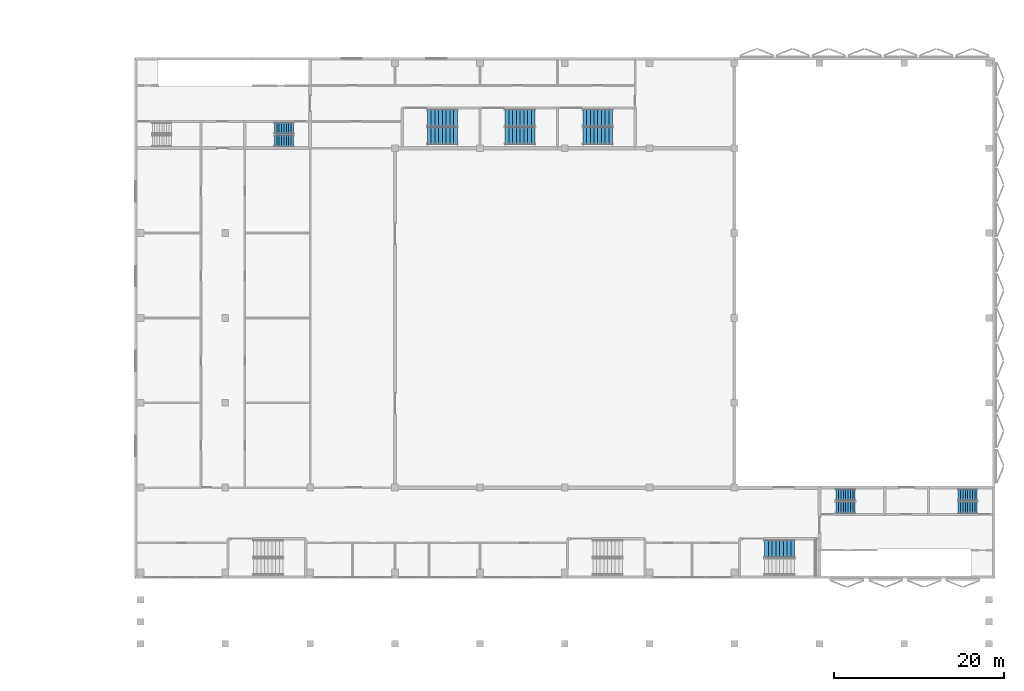
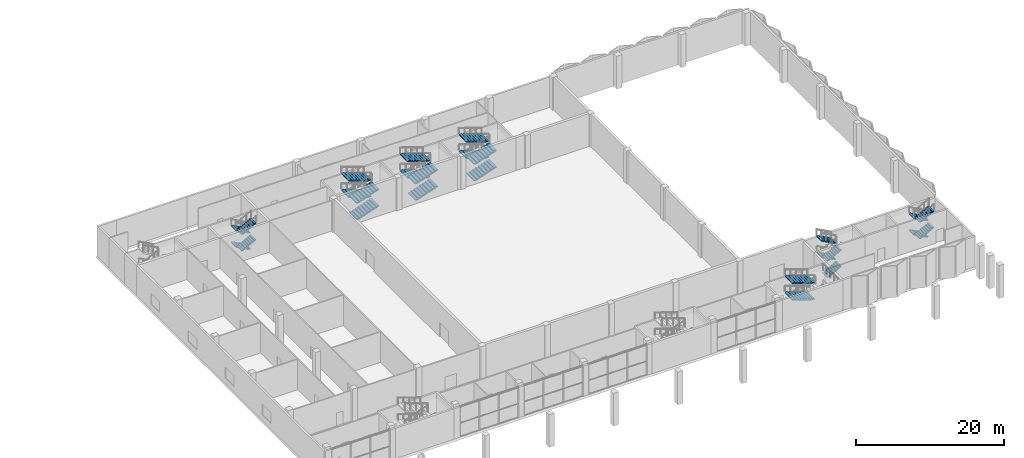
# One storey, part 19 of 35: 26 stair flights, 7 elements without a shape of their own.
"""IFC4 building model written with IfcOpenShell, lengths in metres."""

from ifc_helpers import new_model, si_unit, direction, frame, origin, place, context, subcontext, project, spatial, polyline, outline, extrude, material, type_object, element, aggregate, save


model = new_model("IFC4")

# Units and contexts
model_context = context("Model", 3, precision=1e-05, world=origin(), true_north=direction((0.0, 1.0)))
body_context = subcontext(model_context, "Body", "Model", "MODEL_VIEW")
ifc_project = project(units=[si_unit("LENGTHUNIT", "METRE"), si_unit("AREAUNIT", "SQUARE_METRE"), si_unit("VOLUMEUNIT", "CUBIC_METRE"), si_unit("PLANEANGLEUNIT", "RADIAN"), si_unit("MASSUNIT", "GRAM", prefix="KILO")], contexts=[model_context])

# Site, building, storey
site_placement = place(None, origin())
site = spatial("IfcSite", under=ifc_project, at=site_placement, CompositionType="ELEMENT")
building_placement = place(site_placement, origin())
building = spatial("IfcBuilding", under=site, at=building_placement, Name="Jabali Bay Hotel Tower and Convention Centre", CompositionType="ELEMENT")
storey_placement = place(building_placement, frame((0.0, 0.0, 15.0)))
storey = spatial("IfcBuildingStorey", under=building, at=storey_placement, Name="L02", CompositionType="ELEMENT", Elevation=15.0)

# Stair, stair flights
ifc_material = material(Name="Concrete C40", Category="concrete")
stair_type = type_object("IfcStairType", Name="CC Dogleg Stair 1350", PredefinedType="HALF_TURN_STAIR", material=ifc_material)
stair_1_placement = place(storey_placement, origin())
stair_1 = element("IfcStair", 1, at=stair_1_placement, inside=storey, type_object=stair_type, Name="L02 West stair B", PredefinedType="HALF_TURN_STAIR")
stair_flight_type = type_object("IfcStairFlightType", Name="CC Stair Flight 1350", PredefinedType="STRAIGHT", material=ifc_material)
stair_flight_1_placement = place(storey_placement, frame((168.72509765625, 102.35009765625, 0.0), z_axis=(0.0, 0.0, 1.0), x_axis=(-1.0, 0.0, 0.0)))
stair_flight_1 = element("IfcStairFlight", 2, at=stair_flight_1_placement, type_object=stair_flight_type, Name="CC-STWB flight 1", NumberOfRisers=9, NumberOfTreads=8, PredefinedType="STRAIGHT", RiserHeight=0.15, TreadLength=0.28, context=body_context, shape_type="SweptSolid", body=[
    extrude(outline(polyline([(0.0, 0.0), (0.0, 0.14990234375), (0.280029296875, 0.14990234375), (0.280029296875, 0.300048828125), (0.56005859375, 0.300048828125), (0.56005859375, 0.449951171875), (0.840087890625, 0.449951171875), (0.840087890625, 0.60009765625), (1.1201171875, 0.60009765625), (1.1201171875, 0.75), (1.39990234375, 0.75), (1.39990234375, 0.89990234375), (1.679931640625, 0.89990234375), (1.679931640625, 1.050048828125), (1.9599609375, 1.050048828125), (1.9599609375, 1.199951171875), (2.239990234375, 1.199951171875), (2.239990234375, 1.35009765625), (2.239990234375, 1.030029296875), (0.3173828125, 0.0), (0.0, 0.0)])), frame((0.0, 0.675048828125, 0.0), z_axis=(0.0, -1.0, 0.0), x_axis=(1.0, 0.0, 0.0)), (0.0, 0.0, 1.0), 1.35009765625),
])
stair_flight_2_placement = place(storey_placement, frame((166.485107421875, 100.85009765625, 1.35009765625), z_axis=(0.0, 0.0, 1.0), x_axis=(1.0, 0.0, 0.0)))
stair_flight_2 = element("IfcStairFlight", 3, at=stair_flight_2_placement, type_object=stair_flight_type, Name="CC-STWB flight 2", NumberOfRisers=9, NumberOfTreads=8, PredefinedType="STRAIGHT", RiserHeight=0.15, TreadLength=0.28, context=body_context, shape_type="SweptSolid", body=[
    extrude(outline(polyline([(0.0, 0.0), (0.0, 0.14990234375), (0.280029296875, 0.14990234375), (0.280029296875, 0.300048828125), (0.56005859375, 0.300048828125), (0.56005859375, 0.449951171875), (0.840087890625, 0.449951171875), (0.840087890625, 0.60009765625), (1.1201171875, 0.60009765625), (1.1201171875, 0.75), (1.39990234375, 0.75), (1.39990234375, 0.89990234375), (1.679931640625, 0.89990234375), (1.679931640625, 1.050048828125), (1.9599609375, 1.050048828125), (1.9599609375, 1.199951171875), (2.239990234375, 1.199951171875), (2.239990234375, 1.35009765625), (2.239990234375, 1.030029296875), (0.3173828125, 0.0), (0.0, 0.0)])), frame((0.0, 0.675048828125, 0.0), z_axis=(0.0, -1.0, 0.0), x_axis=(1.0, 0.0, 0.0)), (0.0, 0.0, 1.0), 1.35009765625),
])
stair_flight_3_placement = place(storey_placement, frame((168.72509765625, 102.35009765625, 2.699951171875), z_axis=(0.0, 0.0, 1.0), x_axis=(-1.0, 0.0, 0.0)))
stair_flight_3 = element("IfcStairFlight", 4, at=stair_flight_3_placement, type_object=stair_flight_type, Name="CC-STWB flight 3", NumberOfRisers=9, NumberOfTreads=8, PredefinedType="STRAIGHT", RiserHeight=0.15, TreadLength=0.28, context=body_context, shape_type="SweptSolid", body=[
    extrude(outline(polyline([(0.0, 0.0), (0.0, 0.14990234375), (0.280029296875, 0.14990234375), (0.280029296875, 0.300048828125), (0.56005859375, 0.300048828125), (0.56005859375, 0.449951171875), (0.840087890625, 0.449951171875), (0.840087890625, 0.60009765625), (1.1201171875, 0.60009765625), (1.1201171875, 0.75), (1.39990234375, 0.75), (1.39990234375, 0.89990234375), (1.679931640625, 0.89990234375), (1.679931640625, 1.050048828125), (1.9599609375, 1.050048828125), (1.9599609375, 1.199951171875), (2.239990234375, 1.199951171875), (2.239990234375, 1.35009765625), (2.239990234375, 1.030029296875), (0.3173828125, 0.0), (0.0, 0.0)])), frame((0.0, 0.675048828125, 0.0), z_axis=(0.0, -1.0, 0.0), x_axis=(1.0, 0.0, 0.0)), (0.0, 0.0, 1.0), 1.35009765625),
])
stair_flight_4_placement = place(storey_placement, frame((166.485107421875, 100.85009765625, 4.050048828125), z_axis=(0.0, 0.0, 1.0), x_axis=(1.0, 0.0, 0.0)))
stair_flight_4 = element("IfcStairFlight", 5, at=stair_flight_4_placement, type_object=stair_flight_type, Name="CC-STWB flight 4", NumberOfRisers=9, NumberOfTreads=8, PredefinedType="STRAIGHT", RiserHeight=0.15, TreadLength=0.28, context=body_context, shape_type="SweptSolid", body=[
    extrude(outline(polyline([(0.0, 0.0), (0.0, 0.14990234375), (0.280029296875, 0.14990234375), (0.280029296875, 0.300048828125), (0.56005859375, 0.300048828125), (0.56005859375, 0.449951171875), (0.840087890625, 0.449951171875), (0.840087890625, 0.60009765625), (1.1201171875, 0.60009765625), (1.1201171875, 0.75), (1.39990234375, 0.75), (1.39990234375, 0.89990234375), (1.679931640625, 0.89990234375), (1.679931640625, 1.050048828125), (1.9599609375, 1.050048828125), (1.9599609375, 1.199951171875), (2.239990234375, 1.199951171875), (2.239990234375, 1.35009765625), (2.239990234375, 1.030029296875), (0.3173828125, 0.0), (0.0, 0.0)])), frame((0.0, 0.675048828125, 0.0), z_axis=(0.0, -1.0, 0.0), x_axis=(1.0, 0.0, 0.0)), (0.0, 0.0, 1.0), 1.35009765625),
])
aggregate(stair_1, [stair_flight_1, stair_flight_2, stair_flight_3, stair_flight_4])

stair_2_placement = place(storey_placement, origin())
stair_2 = element("IfcStair", 6, at=stair_2_placement, inside=storey, type_object=stair_type, Name="L02 East stair A", PredefinedType="HALF_TURN_STAIR")
stair_flight_5_placement = place(storey_placement, frame((249.300048828125, 59.14990234375, 0.0), z_axis=(0.0, 0.0, 1.0), x_axis=(-1.0, 0.0, 0.0)))
stair_flight_5 = element("IfcStairFlight", 7, at=stair_flight_5_placement, type_object=stair_flight_type, Name="CC-STEA flight 1", NumberOfRisers=9, NumberOfTreads=8, PredefinedType="STRAIGHT", RiserHeight=0.15, TreadLength=0.28, context=body_context, shape_type="SweptSolid", body=[
    extrude(outline(polyline([(0.0, 0.0), (0.0, 0.14990234375), (0.280029296875, 0.14990234375), (0.280029296875, 0.300048828125), (0.56005859375, 0.300048828125), (0.56005859375, 0.449951171875), (0.840087890625, 0.449951171875), (0.840087890625, 0.60009765625), (1.1201171875, 0.60009765625), (1.1201171875, 0.75), (1.39990234375, 0.75), (1.39990234375, 0.89990234375), (1.679931640625, 0.89990234375), (1.679931640625, 1.050048828125), (1.9599609375, 1.050048828125), (1.9599609375, 1.199951171875), (2.239990234375, 1.199951171875), (2.239990234375, 1.35009765625), (2.239990234375, 1.030029296875), (0.3173828125, 0.0), (0.0, 0.0)])), frame((0.0, 0.675048828125, 0.0), z_axis=(0.0, -1.0, 0.0), x_axis=(1.0, 0.0, 0.0)), (0.0, 0.0, 1.0), 1.35009765625),
])
stair_flight_6_placement = place(storey_placement, frame((247.06005859375, 57.64990234375, 1.35009765625), z_axis=(0.0, 0.0, 1.0), x_axis=(1.0, 0.0, 0.0)))
stair_flight_6 = element("IfcStairFlight", 8, at=stair_flight_6_placement, type_object=stair_flight_type, Name="CC-STEA flight 2", NumberOfRisers=9, NumberOfTreads=8, PredefinedType="STRAIGHT", RiserHeight=0.15, TreadLength=0.28, context=body_context, shape_type="SweptSolid", body=[
    extrude(outline(polyline([(0.0, 0.0), (0.0, 0.14990234375), (0.280029296875, 0.14990234375), (0.280029296875, 0.300048828125), (0.56005859375, 0.300048828125), (0.56005859375, 0.449951171875), (0.840087890625, 0.449951171875), (0.840087890625, 0.60009765625), (1.1201171875, 0.60009765625), (1.1201171875, 0.75), (1.39990234375, 0.75), (1.39990234375, 0.89990234375), (1.679931640625, 0.89990234375), (1.679931640625, 1.050048828125), (1.9599609375, 1.050048828125), (1.9599609375, 1.199951171875), (2.239990234375, 1.199951171875), (2.239990234375, 1.35009765625), (2.239990234375, 1.030029296875), (0.3173828125, 0.0), (0.0, 0.0)])), frame((0.0, 0.675048828125, 0.0), z_axis=(0.0, -1.0, 0.0), x_axis=(1.0, 0.0, 0.0)), (0.0, 0.0, 1.0), 1.35009765625),
])
stair_flight_7_placement = place(storey_placement, frame((249.300048828125, 59.14990234375, 2.699951171875), z_axis=(0.0, 0.0, 1.0), x_axis=(-1.0, 0.0, 0.0)))
stair_flight_7 = element("IfcStairFlight", 9, at=stair_flight_7_placement, type_object=stair_flight_type, Name="CC-STEA flight 3", NumberOfRisers=9, NumberOfTreads=8, PredefinedType="STRAIGHT", RiserHeight=0.15, TreadLength=0.28, context=body_context, shape_type="SweptSolid", body=[
    extrude(outline(polyline([(0.0, 0.0), (0.0, 0.14990234375), (0.280029296875, 0.14990234375), (0.280029296875, 0.300048828125), (0.56005859375, 0.300048828125), (0.56005859375, 0.449951171875), (0.840087890625, 0.449951171875), (0.840087890625, 0.60009765625), (1.1201171875, 0.60009765625), (1.1201171875, 0.75), (1.39990234375, 0.75), (1.39990234375, 0.89990234375), (1.679931640625, 0.89990234375), (1.679931640625, 1.050048828125), (1.9599609375, 1.050048828125), (1.9599609375, 1.199951171875), (2.239990234375, 1.199951171875), (2.239990234375, 1.35009765625), (2.239990234375, 1.030029296875), (0.3173828125, 0.0), (0.0, 0.0)])), frame((0.0, 0.675048828125, 0.0), z_axis=(0.0, -1.0, 0.0), x_axis=(1.0, 0.0, 0.0)), (0.0, 0.0, 1.0), 1.35009765625),
])
stair_flight_8_placement = place(storey_placement, frame((247.06005859375, 57.64990234375, 4.050048828125), z_axis=(0.0, 0.0, 1.0), x_axis=(1.0, 0.0, 0.0)))
stair_flight_8 = element("IfcStairFlight", 10, at=stair_flight_8_placement, type_object=stair_flight_type, Name="CC-STEA flight 4", NumberOfRisers=9, NumberOfTreads=8, PredefinedType="STRAIGHT", RiserHeight=0.15, TreadLength=0.28, context=body_context, shape_type="SweptSolid", body=[
    extrude(outline(polyline([(0.0, 0.0), (0.0, 0.14990234375), (0.280029296875, 0.14990234375), (0.280029296875, 0.300048828125), (0.56005859375, 0.300048828125), (0.56005859375, 0.449951171875), (0.840087890625, 0.449951171875), (0.840087890625, 0.60009765625), (1.1201171875, 0.60009765625), (1.1201171875, 0.75), (1.39990234375, 0.75), (1.39990234375, 0.89990234375), (1.679931640625, 0.89990234375), (1.679931640625, 1.050048828125), (1.9599609375, 1.050048828125), (1.9599609375, 1.199951171875), (2.239990234375, 1.199951171875), (2.239990234375, 1.35009765625), (2.239990234375, 1.030029296875), (0.3173828125, 0.0), (0.0, 0.0)])), frame((0.0, 0.675048828125, 0.0), z_axis=(0.0, -1.0, 0.0), x_axis=(1.0, 0.0, 0.0)), (0.0, 0.0, 1.0), 1.35009765625),
])
aggregate(stair_2, [stair_flight_5, stair_flight_6, stair_flight_7, stair_flight_8])

stair_3_placement = place(storey_placement, origin())
stair_3 = element("IfcStair", 11, at=stair_3_placement, inside=storey, type_object=stair_type, Name="L02 East stair B", PredefinedType="HALF_TURN_STAIR")
stair_flight_9_placement = place(storey_placement, frame((232.675048828125, 57.64990234375, 0.0), z_axis=(0.0, 0.0, 1.0), x_axis=(1.0, 0.0, 0.0)))
stair_flight_9 = element("IfcStairFlight", 12, at=stair_flight_9_placement, type_object=stair_flight_type, Name="CC-STEB flight 1", NumberOfRisers=9, NumberOfTreads=8, PredefinedType="STRAIGHT", RiserHeight=0.15, TreadLength=0.28, context=body_context, shape_type="SweptSolid", body=[
    extrude(outline(polyline([(0.0, 0.0), (0.0, 0.14990234375), (0.280029296875, 0.14990234375), (0.280029296875, 0.300048828125), (0.56005859375, 0.300048828125), (0.56005859375, 0.449951171875), (0.840087890625, 0.449951171875), (0.840087890625, 0.60009765625), (1.1201171875, 0.60009765625), (1.1201171875, 0.75), (1.39990234375, 0.75), (1.39990234375, 0.89990234375), (1.679931640625, 0.89990234375), (1.679931640625, 1.050048828125), (1.9599609375, 1.050048828125), (1.9599609375, 1.199951171875), (2.239990234375, 1.199951171875), (2.239990234375, 1.35009765625), (2.239990234375, 1.030029296875), (0.3173828125, 0.0), (0.0, 0.0)])), frame((0.0, 0.675048828125, 0.0), z_axis=(0.0, -1.0, 0.0), x_axis=(1.0, 0.0, 0.0)), (0.0, 0.0, 1.0), 1.35009765625),
])
stair_flight_10_placement = place(storey_placement, frame((234.9150390625, 59.14990234375, 1.35009765625), z_axis=(0.0, 0.0, 1.0), x_axis=(-1.0, 0.0, 0.0)))
stair_flight_10 = element("IfcStairFlight", 13, at=stair_flight_10_placement, type_object=stair_flight_type, Name="CC-STEB flight 2", NumberOfRisers=9, NumberOfTreads=8, PredefinedType="STRAIGHT", RiserHeight=0.15, TreadLength=0.28, context=body_context, shape_type="SweptSolid", body=[
    extrude(outline(polyline([(0.0, 0.0), (0.0, 0.14990234375), (0.280029296875, 0.14990234375), (0.280029296875, 0.300048828125), (0.56005859375, 0.300048828125), (0.56005859375, 0.449951171875), (0.840087890625, 0.449951171875), (0.840087890625, 0.60009765625), (1.1201171875, 0.60009765625), (1.1201171875, 0.75), (1.39990234375, 0.75), (1.39990234375, 0.89990234375), (1.679931640625, 0.89990234375), (1.679931640625, 1.050048828125), (1.9599609375, 1.050048828125), (1.9599609375, 1.199951171875), (2.239990234375, 1.199951171875), (2.239990234375, 1.35009765625), (2.239990234375, 1.030029296875), (0.3173828125, 0.0), (0.0, 0.0)])), frame((0.0, 0.675048828125, 0.0), z_axis=(0.0, -1.0, 0.0), x_axis=(1.0, 0.0, 0.0)), (0.0, 0.0, 1.0), 1.35009765625),
])
stair_flight_11_placement = place(storey_placement, frame((232.675048828125, 57.64990234375, 2.699951171875), z_axis=(0.0, 0.0, 1.0), x_axis=(1.0, 0.0, 0.0)))
stair_flight_11 = element("IfcStairFlight", 14, at=stair_flight_11_placement, type_object=stair_flight_type, Name="CC-STEB flight 3", NumberOfRisers=9, NumberOfTreads=8, PredefinedType="STRAIGHT", RiserHeight=0.15, TreadLength=0.28, context=body_context, shape_type="SweptSolid", body=[
    extrude(outline(polyline([(0.0, 0.0), (0.0, 0.14990234375), (0.280029296875, 0.14990234375), (0.280029296875, 0.300048828125), (0.56005859375, 0.300048828125), (0.56005859375, 0.449951171875), (0.840087890625, 0.449951171875), (0.840087890625, 0.60009765625), (1.1201171875, 0.60009765625), (1.1201171875, 0.75), (1.39990234375, 0.75), (1.39990234375, 0.89990234375), (1.679931640625, 0.89990234375), (1.679931640625, 1.050048828125), (1.9599609375, 1.050048828125), (1.9599609375, 1.199951171875), (2.239990234375, 1.199951171875), (2.239990234375, 1.35009765625), (2.239990234375, 1.030029296875), (0.3173828125, 0.0), (0.0, 0.0)])), frame((0.0, 0.675048828125, 0.0), z_axis=(0.0, -1.0, 0.0), x_axis=(1.0, 0.0, 0.0)), (0.0, 0.0, 1.0), 1.35009765625),
])
stair_flight_12_placement = place(storey_placement, frame((234.9150390625, 59.14990234375, 4.050048828125), z_axis=(0.0, 0.0, 1.0), x_axis=(-1.0, 0.0, 0.0)))
stair_flight_12 = element("IfcStairFlight", 15, at=stair_flight_12_placement, type_object=stair_flight_type, Name="CC-STEB flight 4", NumberOfRisers=9, NumberOfTreads=8, PredefinedType="STRAIGHT", RiserHeight=0.15, TreadLength=0.28, context=body_context, shape_type="SweptSolid", body=[
    extrude(outline(polyline([(0.0, 0.0), (0.0, 0.14990234375), (0.280029296875, 0.14990234375), (0.280029296875, 0.300048828125), (0.56005859375, 0.300048828125), (0.56005859375, 0.449951171875), (0.840087890625, 0.449951171875), (0.840087890625, 0.60009765625), (1.1201171875, 0.60009765625), (1.1201171875, 0.75), (1.39990234375, 0.75), (1.39990234375, 0.89990234375), (1.679931640625, 0.89990234375), (1.679931640625, 1.050048828125), (1.9599609375, 1.050048828125), (1.9599609375, 1.199951171875), (2.239990234375, 1.199951171875), (2.239990234375, 1.35009765625), (2.239990234375, 1.030029296875), (0.3173828125, 0.0), (0.0, 0.0)])), frame((0.0, 0.675048828125, 0.0), z_axis=(0.0, -1.0, 0.0), x_axis=(1.0, 0.0, 0.0)), (0.0, 0.0, 1.0), 1.35009765625),
])
aggregate(stair_3, [stair_flight_9, stair_flight_10, stair_flight_11, stair_flight_12])

stair_4_placement = place(storey_placement, origin())
stair_4 = element("IfcStair", 16, at=stair_4_placement, inside=storey, type_object=stair_type, Name="L02 South Exit Stair 3", PredefinedType="HALF_TURN_STAIR")
stair_flight_13_placement = place(storey_placement, frame((227.77001953125, 52.800048828125, 1.35009765625), z_axis=(0.0, 0.0, 1.0), x_axis=(-1.0, 0.0, 0.0)))
stair_flight_13 = element("IfcStairFlight", 17, at=stair_flight_13_placement, type_object=stair_flight_type, Name="CC-STS3 flight 2", NumberOfRisers=9, NumberOfTreads=8, PredefinedType="STRAIGHT", RiserHeight=0.15, TreadLength=0.44, context=body_context, shape_type="SweptSolid", body=[
    extrude(outline(polyline([(0.0, 0.0), (0.0, 0.14990234375), (0.43994140625, 0.14990234375), (0.43994140625, 0.300048828125), (0.8798828125, 0.300048828125), (0.8798828125, 0.449951171875), (1.320068359375, 0.449951171875), (1.320068359375, 0.60009765625), (1.760009765625, 0.60009765625), (1.760009765625, 0.75), (2.199951171875, 0.75), (2.199951171875, 0.89990234375), (2.639892578125, 0.89990234375), (2.639892578125, 1.050048828125), (3.080078125, 1.050048828125), (3.080078125, 1.199951171875), (3.52001953125, 1.199951171875), (3.52001953125, 1.35009765625), (3.52001953125, 1.041748046875), (0.464599609375, 0.0), (0.0, 0.0)])), frame((0.0, 1.0, 0.0), z_axis=(0.0, -1.0, 0.0), x_axis=(1.0, 0.0, 0.0)), (0.0, 0.0, 1.0), 2.0),
])
stair_flight_14_placement = place(storey_placement, frame((227.77001953125, 52.800048828125, 4.050048828125), z_axis=(0.0, 0.0, 1.0), x_axis=(-1.0, 0.0, 0.0)))
stair_flight_14 = element("IfcStairFlight", 18, at=stair_flight_14_placement, type_object=stair_flight_type, Name="CC-STS3 flight 4", NumberOfRisers=9, NumberOfTreads=8, PredefinedType="STRAIGHT", RiserHeight=0.15, TreadLength=0.44, context=body_context, shape_type="SweptSolid", body=[
    extrude(outline(polyline([(0.0, 0.0), (0.0, 0.14990234375), (0.43994140625, 0.14990234375), (0.43994140625, 0.300048828125), (0.8798828125, 0.300048828125), (0.8798828125, 0.449951171875), (1.320068359375, 0.449951171875), (1.320068359375, 0.60009765625), (1.760009765625, 0.60009765625), (1.760009765625, 0.75), (2.199951171875, 0.75), (2.199951171875, 0.89990234375), (2.639892578125, 0.89990234375), (2.639892578125, 1.050048828125), (3.080078125, 1.050048828125), (3.080078125, 1.199951171875), (3.52001953125, 1.199951171875), (3.52001953125, 1.35009765625), (3.52001953125, 1.041748046875), (0.464599609375, 0.0), (0.0, 0.0)])), frame((0.0, 1.0, 0.0), z_axis=(0.0, -1.0, 0.0), x_axis=(1.0, 0.0, 0.0)), (0.0, 0.0, 1.0), 2.0),
])
aggregate(stair_4, [stair_flight_13, stair_flight_14])

stair_5_placement = place(storey_placement, origin())
stair_5 = element("IfcStair", 19, at=stair_5_placement, inside=storey, type_object=stair_type, Name="L02 North Exit Stair 1", PredefinedType="HALF_TURN_STAIR")
stair_flight_15_placement = place(storey_placement, frame((184.52490234375, 101.449951171875, 0.0), z_axis=(0.0, 0.0, 1.0), x_axis=(1.0, 0.0, 0.0)))
stair_flight_15 = element("IfcStairFlight", 20, at=stair_flight_15_placement, type_object=stair_flight_type, Name="CC-STN1 flight 1", NumberOfRisers=9, NumberOfTreads=8, PredefinedType="STRAIGHT", RiserHeight=0.15, TreadLength=0.44, context=body_context, shape_type="SweptSolid", body=[
    extrude(outline(polyline([(0.0, 0.0), (0.0, 0.14990234375), (0.43994140625, 0.14990234375), (0.43994140625, 0.300048828125), (0.8798828125, 0.300048828125), (0.8798828125, 0.449951171875), (1.320068359375, 0.449951171875), (1.320068359375, 0.60009765625), (1.760009765625, 0.60009765625), (1.760009765625, 0.75), (2.199951171875, 0.75), (2.199951171875, 0.89990234375), (2.639892578125, 0.89990234375), (2.639892578125, 1.050048828125), (3.080078125, 1.050048828125), (3.080078125, 1.199951171875), (3.52001953125, 1.199951171875), (3.52001953125, 1.35009765625), (3.52001953125, 1.041748046875), (0.464599609375, 0.0), (0.0, 0.0)])), frame((0.0, 1.0, 0.0), z_axis=(0.0, -1.0, 0.0), x_axis=(1.0, 0.0, 0.0)), (0.0, 0.0, 1.0), 2.0),
])
stair_flight_16_placement = place(storey_placement, frame((188.044921875, 103.550048828125, 1.35009765625), z_axis=(0.0, 0.0, 1.0), x_axis=(-1.0, 0.0, 0.0)))
stair_flight_16 = element("IfcStairFlight", 21, at=stair_flight_16_placement, type_object=stair_flight_type, Name="CC-STN1 flight 2", NumberOfRisers=9, NumberOfTreads=8, PredefinedType="STRAIGHT", RiserHeight=0.15, TreadLength=0.44, context=body_context, shape_type="SweptSolid", body=[
    extrude(outline(polyline([(0.0, 0.0), (0.0, 0.14990234375), (0.43994140625, 0.14990234375), (0.43994140625, 0.300048828125), (0.8798828125, 0.300048828125), (0.8798828125, 0.449951171875), (1.320068359375, 0.449951171875), (1.320068359375, 0.60009765625), (1.760009765625, 0.60009765625), (1.760009765625, 0.75), (2.199951171875, 0.75), (2.199951171875, 0.89990234375), (2.639892578125, 0.89990234375), (2.639892578125, 1.050048828125), (3.080078125, 1.050048828125), (3.080078125, 1.199951171875), (3.52001953125, 1.199951171875), (3.52001953125, 1.35009765625), (3.52001953125, 1.041748046875), (0.464599609375, 0.0), (0.0, 0.0)])), frame((0.0, 1.0, 0.0), z_axis=(0.0, -1.0, 0.0), x_axis=(1.0, 0.0, 0.0)), (0.0, 0.0, 1.0), 2.0),
])
stair_flight_17_placement = place(storey_placement, frame((184.52490234375, 101.449951171875, 2.699951171875), z_axis=(0.0, 0.0, 1.0), x_axis=(1.0, 0.0, 0.0)))
stair_flight_17 = element("IfcStairFlight", 22, at=stair_flight_17_placement, type_object=stair_flight_type, Name="CC-STN1 flight 3", NumberOfRisers=9, NumberOfTreads=8, PredefinedType="STRAIGHT", RiserHeight=0.15, TreadLength=0.44, context=body_context, shape_type="SweptSolid", body=[
    extrude(outline(polyline([(0.0, 0.0), (0.0, 0.14990234375), (0.43994140625, 0.14990234375), (0.43994140625, 0.300048828125), (0.8798828125, 0.300048828125), (0.8798828125, 0.449951171875), (1.320068359375, 0.449951171875), (1.320068359375, 0.60009765625), (1.760009765625, 0.60009765625), (1.760009765625, 0.75), (2.199951171875, 0.75), (2.199951171875, 0.89990234375), (2.639892578125, 0.89990234375), (2.639892578125, 1.050048828125), (3.080078125, 1.050048828125), (3.080078125, 1.199951171875), (3.52001953125, 1.199951171875), (3.52001953125, 1.35009765625), (3.52001953125, 1.041748046875), (0.464599609375, 0.0), (0.0, 0.0)])), frame((0.0, 1.0, 0.0), z_axis=(0.0, -1.0, 0.0), x_axis=(1.0, 0.0, 0.0)), (0.0, 0.0, 1.0), 2.0),
])
stair_flight_18_placement = place(storey_placement, frame((188.044921875, 103.550048828125, 4.050048828125), z_axis=(0.0, 0.0, 1.0), x_axis=(-1.0, 0.0, 0.0)))
stair_flight_18 = element("IfcStairFlight", 23, at=stair_flight_18_placement, type_object=stair_flight_type, Name="CC-STN1 flight 4", NumberOfRisers=9, NumberOfTreads=8, PredefinedType="STRAIGHT", RiserHeight=0.15, TreadLength=0.44, context=body_context, shape_type="SweptSolid", body=[
    extrude(outline(polyline([(0.0, 0.0), (0.0, 0.14990234375), (0.43994140625, 0.14990234375), (0.43994140625, 0.300048828125), (0.8798828125, 0.300048828125), (0.8798828125, 0.449951171875), (1.320068359375, 0.449951171875), (1.320068359375, 0.60009765625), (1.760009765625, 0.60009765625), (1.760009765625, 0.75), (2.199951171875, 0.75), (2.199951171875, 0.89990234375), (2.639892578125, 0.89990234375), (2.639892578125, 1.050048828125), (3.080078125, 1.050048828125), (3.080078125, 1.199951171875), (3.52001953125, 1.199951171875), (3.52001953125, 1.35009765625), (3.52001953125, 1.041748046875), (0.464599609375, 0.0), (0.0, 0.0)])), frame((0.0, 1.0, 0.0), z_axis=(0.0, -1.0, 0.0), x_axis=(1.0, 0.0, 0.0)), (0.0, 0.0, 1.0), 2.0),
])
aggregate(stair_5, [stair_flight_15, stair_flight_16, stair_flight_17, stair_flight_18])

stair_6_placement = place(storey_placement, origin())
stair_6 = element("IfcStair", 24, at=stair_6_placement, inside=storey, type_object=stair_type, Name="L02 North Exit Stair 2", PredefinedType="HALF_TURN_STAIR")
stair_flight_19_placement = place(storey_placement, frame((193.675048828125, 101.449951171875, 0.0), z_axis=(0.0, 0.0, 1.0), x_axis=(1.0, 0.0, 0.0)))
stair_flight_19 = element("IfcStairFlight", 25, at=stair_flight_19_placement, type_object=stair_flight_type, Name="CC-STN2 flight 1", NumberOfRisers=9, NumberOfTreads=8, PredefinedType="STRAIGHT", RiserHeight=0.15, TreadLength=0.44, context=body_context, shape_type="SweptSolid", body=[
    extrude(outline(polyline([(0.0, 0.0), (0.0, 0.14990234375), (0.43994140625, 0.14990234375), (0.43994140625, 0.300048828125), (0.8798828125, 0.300048828125), (0.8798828125, 0.449951171875), (1.320068359375, 0.449951171875), (1.320068359375, 0.60009765625), (1.760009765625, 0.60009765625), (1.760009765625, 0.75), (2.199951171875, 0.75), (2.199951171875, 0.89990234375), (2.639892578125, 0.89990234375), (2.639892578125, 1.050048828125), (3.080078125, 1.050048828125), (3.080078125, 1.199951171875), (3.52001953125, 1.199951171875), (3.52001953125, 1.35009765625), (3.52001953125, 1.041748046875), (0.464599609375, 0.0), (0.0, 0.0)])), frame((0.0, 1.0, 0.0), z_axis=(0.0, -1.0, 0.0), x_axis=(1.0, 0.0, 0.0)), (0.0, 0.0, 1.0), 2.0),
])
stair_flight_20_placement = place(storey_placement, frame((197.195068359375, 103.550048828125, 1.35009765625), z_axis=(0.0, 0.0, 1.0), x_axis=(-1.0, 0.0, 0.0)))
stair_flight_20 = element("IfcStairFlight", 26, at=stair_flight_20_placement, type_object=stair_flight_type, Name="CC-STN2 flight 2", NumberOfRisers=9, NumberOfTreads=8, PredefinedType="STRAIGHT", RiserHeight=0.15, TreadLength=0.44, context=body_context, shape_type="SweptSolid", body=[
    extrude(outline(polyline([(0.0, 0.0), (0.0, 0.14990234375), (0.43994140625, 0.14990234375), (0.43994140625, 0.300048828125), (0.8798828125, 0.300048828125), (0.8798828125, 0.449951171875), (1.320068359375, 0.449951171875), (1.320068359375, 0.60009765625), (1.760009765625, 0.60009765625), (1.760009765625, 0.75), (2.199951171875, 0.75), (2.199951171875, 0.89990234375), (2.639892578125, 0.89990234375), (2.639892578125, 1.050048828125), (3.080078125, 1.050048828125), (3.080078125, 1.199951171875), (3.52001953125, 1.199951171875), (3.52001953125, 1.35009765625), (3.52001953125, 1.041748046875), (0.464599609375, 0.0), (0.0, 0.0)])), frame((0.0, 1.0, 0.0), z_axis=(0.0, -1.0, 0.0), x_axis=(1.0, 0.0, 0.0)), (0.0, 0.0, 1.0), 2.0),
])
stair_flight_21_placement = place(storey_placement, frame((193.675048828125, 101.449951171875, 2.699951171875), z_axis=(0.0, 0.0, 1.0), x_axis=(1.0, 0.0, 0.0)))
stair_flight_21 = element("IfcStairFlight", 27, at=stair_flight_21_placement, type_object=stair_flight_type, Name="CC-STN2 flight 3", NumberOfRisers=9, NumberOfTreads=8, PredefinedType="STRAIGHT", RiserHeight=0.15, TreadLength=0.44, context=body_context, shape_type="SweptSolid", body=[
    extrude(outline(polyline([(0.0, 0.0), (0.0, 0.14990234375), (0.43994140625, 0.14990234375), (0.43994140625, 0.300048828125), (0.8798828125, 0.300048828125), (0.8798828125, 0.449951171875), (1.320068359375, 0.449951171875), (1.320068359375, 0.60009765625), (1.760009765625, 0.60009765625), (1.760009765625, 0.75), (2.199951171875, 0.75), (2.199951171875, 0.89990234375), (2.639892578125, 0.89990234375), (2.639892578125, 1.050048828125), (3.080078125, 1.050048828125), (3.080078125, 1.199951171875), (3.52001953125, 1.199951171875), (3.52001953125, 1.35009765625), (3.52001953125, 1.041748046875), (0.464599609375, 0.0), (0.0, 0.0)])), frame((0.0, 1.0, 0.0), z_axis=(0.0, -1.0, 0.0), x_axis=(1.0, 0.0, 0.0)), (0.0, 0.0, 1.0), 2.0),
])
stair_flight_22_placement = place(storey_placement, frame((197.195068359375, 103.550048828125, 4.050048828125), z_axis=(0.0, 0.0, 1.0), x_axis=(-1.0, 0.0, 0.0)))
stair_flight_22 = element("IfcStairFlight", 28, at=stair_flight_22_placement, type_object=stair_flight_type, Name="CC-STN2 flight 4", NumberOfRisers=9, NumberOfTreads=8, PredefinedType="STRAIGHT", RiserHeight=0.15, TreadLength=0.44, context=body_context, shape_type="SweptSolid", body=[
    extrude(outline(polyline([(0.0, 0.0), (0.0, 0.14990234375), (0.43994140625, 0.14990234375), (0.43994140625, 0.300048828125), (0.8798828125, 0.300048828125), (0.8798828125, 0.449951171875), (1.320068359375, 0.449951171875), (1.320068359375, 0.60009765625), (1.760009765625, 0.60009765625), (1.760009765625, 0.75), (2.199951171875, 0.75), (2.199951171875, 0.89990234375), (2.639892578125, 0.89990234375), (2.639892578125, 1.050048828125), (3.080078125, 1.050048828125), (3.080078125, 1.199951171875), (3.52001953125, 1.199951171875), (3.52001953125, 1.35009765625), (3.52001953125, 1.041748046875), (0.464599609375, 0.0), (0.0, 0.0)])), frame((0.0, 1.0, 0.0), z_axis=(0.0, -1.0, 0.0), x_axis=(1.0, 0.0, 0.0)), (0.0, 0.0, 1.0), 2.0),
])
aggregate(stair_6, [stair_flight_19, stair_flight_20, stair_flight_21, stair_flight_22])

stair_7_placement = place(storey_placement, origin())
stair_7 = element("IfcStair", 29, at=stair_7_placement, inside=storey, type_object=stair_type, Name="L02 North Exit Stair 3", PredefinedType="HALF_TURN_STAIR")
stair_flight_23_placement = place(storey_placement, frame((202.824951171875, 101.449951171875, 0.0), z_axis=(0.0, 0.0, 1.0), x_axis=(1.0, 0.0, 0.0)))
stair_flight_23 = element("IfcStairFlight", 30, at=stair_flight_23_placement, type_object=stair_flight_type, Name="CC-STN3 flight 1", NumberOfRisers=9, NumberOfTreads=8, PredefinedType="STRAIGHT", RiserHeight=0.15, TreadLength=0.44, context=body_context, shape_type="SweptSolid", body=[
    extrude(outline(polyline([(0.0, 0.0), (0.0, 0.14990234375), (0.43994140625, 0.14990234375), (0.43994140625, 0.300048828125), (0.8798828125, 0.300048828125), (0.8798828125, 0.449951171875), (1.320068359375, 0.449951171875), (1.320068359375, 0.60009765625), (1.760009765625, 0.60009765625), (1.760009765625, 0.75), (2.199951171875, 0.75), (2.199951171875, 0.89990234375), (2.639892578125, 0.89990234375), (2.639892578125, 1.050048828125), (3.080078125, 1.050048828125), (3.080078125, 1.199951171875), (3.52001953125, 1.199951171875), (3.52001953125, 1.35009765625), (3.52001953125, 1.041748046875), (0.464599609375, 0.0), (0.0, 0.0)])), frame((0.0, 1.0, 0.0), z_axis=(0.0, -1.0, 0.0), x_axis=(1.0, 0.0, 0.0)), (0.0, 0.0, 1.0), 2.0),
])
stair_flight_24_placement = place(storey_placement, frame((206.344970703125, 103.550048828125, 1.35009765625), z_axis=(0.0, 0.0, 1.0), x_axis=(-1.0, 0.0, 0.0)))
stair_flight_24 = element("IfcStairFlight", 31, at=stair_flight_24_placement, type_object=stair_flight_type, Name="CC-STN3 flight 2", NumberOfRisers=9, NumberOfTreads=8, PredefinedType="STRAIGHT", RiserHeight=0.15, TreadLength=0.44, context=body_context, shape_type="SweptSolid", body=[
    extrude(outline(polyline([(0.0, 0.0), (0.0, 0.14990234375), (0.43994140625, 0.14990234375), (0.43994140625, 0.300048828125), (0.8798828125, 0.300048828125), (0.8798828125, 0.449951171875), (1.320068359375, 0.449951171875), (1.320068359375, 0.60009765625), (1.760009765625, 0.60009765625), (1.760009765625, 0.75), (2.199951171875, 0.75), (2.199951171875, 0.89990234375), (2.639892578125, 0.89990234375), (2.639892578125, 1.050048828125), (3.080078125, 1.050048828125), (3.080078125, 1.199951171875), (3.52001953125, 1.199951171875), (3.52001953125, 1.35009765625), (3.52001953125, 1.041748046875), (0.464599609375, 0.0), (0.0, 0.0)])), frame((0.0, 1.0, 0.0), z_axis=(0.0, -1.0, 0.0), x_axis=(1.0, 0.0, 0.0)), (0.0, 0.0, 1.0), 2.0),
])
stair_flight_25_placement = place(storey_placement, frame((202.824951171875, 101.449951171875, 2.699951171875), z_axis=(0.0, 0.0, 1.0), x_axis=(1.0, 0.0, 0.0)))
stair_flight_25 = element("IfcStairFlight", 32, at=stair_flight_25_placement, type_object=stair_flight_type, Name="CC-STN3 flight 3", NumberOfRisers=9, NumberOfTreads=8, PredefinedType="STRAIGHT", RiserHeight=0.15, TreadLength=0.44, context=body_context, shape_type="SweptSolid", body=[
    extrude(outline(polyline([(0.0, 0.0), (0.0, 0.14990234375), (0.43994140625, 0.14990234375), (0.43994140625, 0.300048828125), (0.8798828125, 0.300048828125), (0.8798828125, 0.449951171875), (1.320068359375, 0.449951171875), (1.320068359375, 0.60009765625), (1.760009765625, 0.60009765625), (1.760009765625, 0.75), (2.199951171875, 0.75), (2.199951171875, 0.89990234375), (2.639892578125, 0.89990234375), (2.639892578125, 1.050048828125), (3.080078125, 1.050048828125), (3.080078125, 1.199951171875), (3.52001953125, 1.199951171875), (3.52001953125, 1.35009765625), (3.52001953125, 1.041748046875), (0.464599609375, 0.0), (0.0, 0.0)])), frame((0.0, 1.0, 0.0), z_axis=(0.0, -1.0, 0.0), x_axis=(1.0, 0.0, 0.0)), (0.0, 0.0, 1.0), 2.0),
])
stair_flight_26_placement = place(storey_placement, frame((206.344970703125, 103.550048828125, 4.050048828125), z_axis=(0.0, 0.0, 1.0), x_axis=(-1.0, 0.0, 0.0)))
stair_flight_26 = element("IfcStairFlight", 33, at=stair_flight_26_placement, type_object=stair_flight_type, Name="CC-STN3 flight 4", NumberOfRisers=9, NumberOfTreads=8, PredefinedType="STRAIGHT", RiserHeight=0.15, TreadLength=0.44, context=body_context, shape_type="SweptSolid", body=[
    extrude(outline(polyline([(0.0, 0.0), (0.0, 0.14990234375), (0.43994140625, 0.14990234375), (0.43994140625, 0.300048828125), (0.8798828125, 0.300048828125), (0.8798828125, 0.449951171875), (1.320068359375, 0.449951171875), (1.320068359375, 0.60009765625), (1.760009765625, 0.60009765625), (1.760009765625, 0.75), (2.199951171875, 0.75), (2.199951171875, 0.89990234375), (2.639892578125, 0.89990234375), (2.639892578125, 1.050048828125), (3.080078125, 1.050048828125), (3.080078125, 1.199951171875), (3.52001953125, 1.199951171875), (3.52001953125, 1.35009765625), (3.52001953125, 1.041748046875), (0.464599609375, 0.0), (0.0, 0.0)])), frame((0.0, 1.0, 0.0), z_axis=(0.0, -1.0, 0.0), x_axis=(1.0, 0.0, 0.0)), (0.0, 0.0, 1.0), 2.0),
])
aggregate(stair_7, [stair_flight_23, stair_flight_24, stair_flight_25, stair_flight_26])

save(model, "model.ifc")
